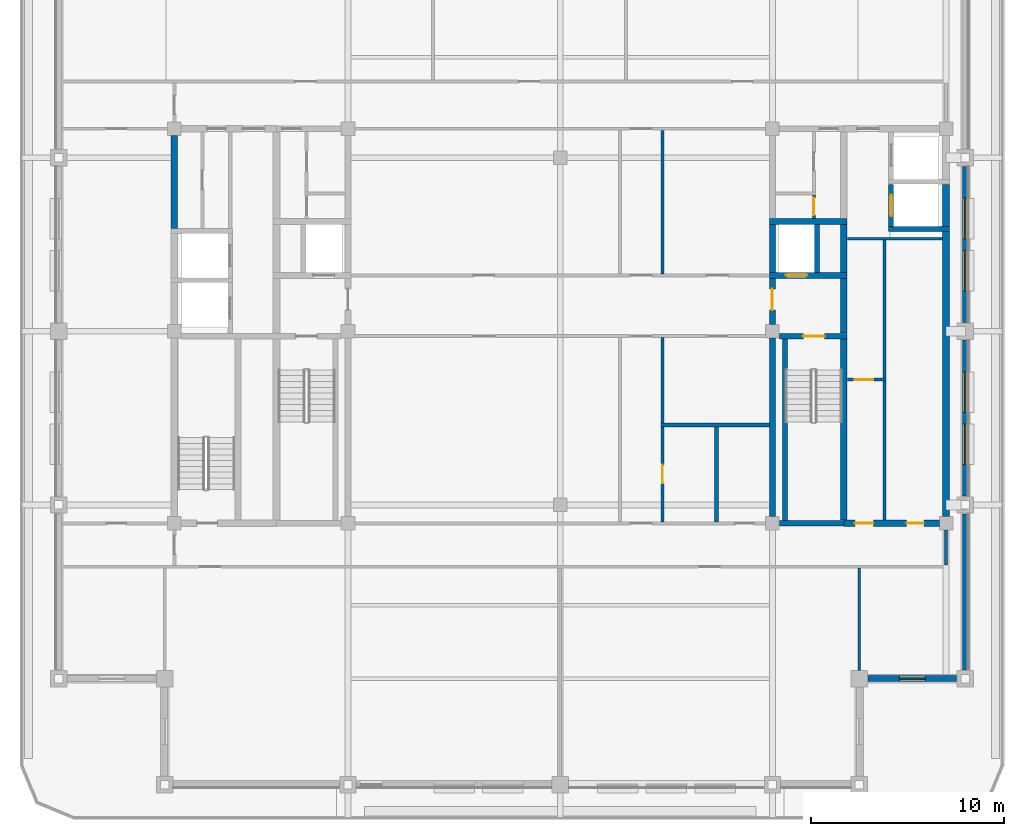
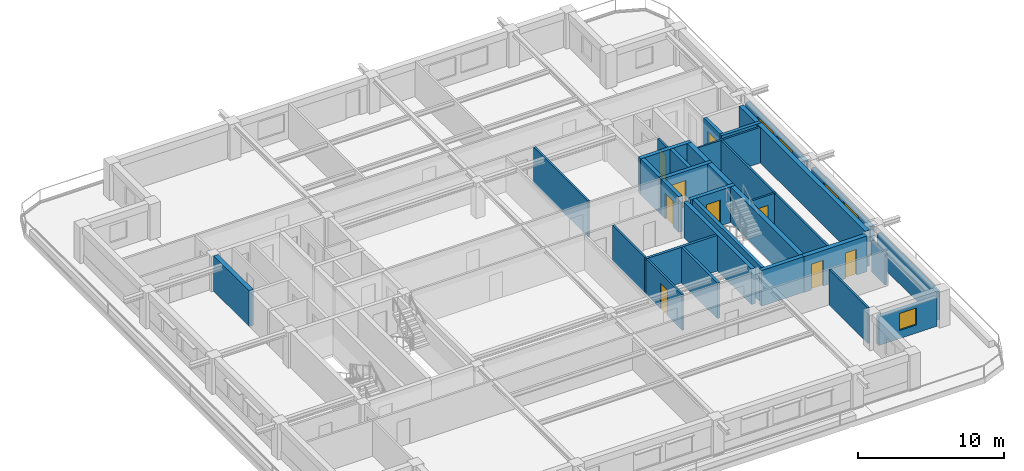
# One storey, part 4 of 11: 34 walls, 9 doors, 5 windows, 14 openings.
"""IFC4 building model written with IfcOpenShell, lengths in metres."""

from ifc_helpers import new_model, si_unit, direction, frame, frame_2d, origin, place, context, subcontext, project, spatial, rectangle, extrude, material, layer, layer_set, type_object, element, fill, save


model = new_model("IFC4")

# Units and contexts
model_context = context("Model", 3, precision=1e-05, world=origin(), true_north=direction((0.0, 1.0)))
body_context = subcontext(model_context, "Body", "Model", "MODEL_VIEW")
ifc_project = project(units=[si_unit("LENGTHUNIT", "METRE"), si_unit("AREAUNIT", "SQUARE_METRE"), si_unit("VOLUMEUNIT", "CUBIC_METRE"), si_unit("PLANEANGLEUNIT", "RADIAN"), si_unit("MASSUNIT", "GRAM", prefix="KILO")], contexts=[model_context])

# Site, building, storey
site_placement = place(None, origin())
site = spatial("IfcSite", under=ifc_project, at=site_placement, CompositionType="ELEMENT")
building_placement = place(site_placement, origin())
building = spatial("IfcBuilding", under=site, at=building_placement, Name="Zulmaris Gate Convention Tower", CompositionType="ELEMENT")
storey_placement = place(building_placement, frame((0.0, 0.0, 260.889892578125)))
storey = spatial("IfcBuildingStorey", under=building, at=storey_placement, Name="L69", CompositionType="ELEMENT", Elevation=260.889892578125)

# Walls
ifc_material_1 = material(Name="Concrete C50/60", Category="concrete")
ifc_layer_1 = layer(ifc_material_1, 0.25, Name="Concrete C50/60")
ifc_layer_set_1 = layer_set([ifc_layer_1], Name="Concrete C50/60")
wall_type_1 = type_object("IfcWallType", Name="CORE-250", PredefinedType="SOLIDWALL", material=ifc_layer_set_1)
wall_1_placement = place(storey_placement, frame((17.02490234375, 5.300048828125, 0.0), z_axis=(0.0, 0.0, 1.0), x_axis=(1.0, 0.0, 0.0)))
element("IfcWall", 1, at=wall_1_placement, inside=storey, type_object=wall_type_1, Name="WL-L69-011", PredefinedType="SOLIDWALL", context=body_context, shape_type="SweptSolid", body=[
    extrude(rectangle(XDim=3.150146484375, YDim=0.25, at=frame_2d((1.5751953125, 0.0))), origin(), (0.0, 0.0, 1.0), 2.97998046875),
])
wall_2_placement = place(storey_placement, frame((11.64990234375, -9.798095703125, 0.0), z_axis=(0.0, 0.0, 1.0), x_axis=(0.0, 1.0, 0.0)))
element("IfcWall", 2, at=wall_2_placement, inside=storey, type_object=wall_type_1, Name="WL-L69-053", PredefinedType="SOLIDWALL", context=body_context, shape_type="SweptSolid", body=[
    extrude(rectangle(XDim=9.39599609375, YDim=0.25, at=frame_2d((4.697998046875, 0.0))), origin(), (0.0, 0.0, 1.0), 2.97998046875),
])
wall_3_placement = place(storey_placement, frame((13.300048828125, 3.052001953125, 0.0), z_axis=(0.0, 0.0, 1.0), x_axis=(0.0, 1.0, 0.0)))
element("IfcWall", 3, at=wall_3_placement, inside=storey, type_object=wall_type_1, Name="WL-L69-054", PredefinedType="SOLIDWALL", context=body_context, shape_type="SweptSolid", body=[
    extrude(rectangle(XDim=2.49609375, YDim=0.25, at=frame_2d((1.248046875, 0.0))), origin(), (0.0, 0.0, 1.0), 2.97998046875),
])

# Wall, opening, door
wall_4_placement = place(storey_placement, frame((17.14990234375, 5.427001953125, 0.0), z_axis=(0.0, 0.0, 1.0), x_axis=(0.0, 1.0, 0.0)))
wall_4 = element("IfcWall", 4, at=wall_4_placement, inside=storey, type_object=wall_type_1, Name="WL-L69-059", PredefinedType="SOLIDWALL", context=body_context, shape_type="SweptSolid", body=[
    extrude(rectangle(XDim=2.196044921875, YDim=0.25, at=frame_2d((1.09814453125, 0.0))), origin(), (0.0, 0.0, 1.0), 2.97998046875),
])
opening_1_placement = place(wall_4_placement, frame((0.548095703125, 0.0, 0.0)))
opening_1 = element("IfcOpeningElement", 5, at=opening_1_placement, cuts=wall_4, Name="Opening D-06", PredefinedType="OPENING", context=body_context, shape_type="SweptSolid", body=[
    extrude(rectangle(XDim=1.10009765625, YDim=2.199951171875, at=frame_2d((0.550048828125, 1.10009765625))), frame((0.0, 0.135009765625, 0.0), z_axis=(0.0, -1.0, 0.0), x_axis=(1.0, 0.0, 0.0)), (0.0, 0.0, 1.0), 0.27001953125),
])
ifc_material_2 = material(Name="Brushed Stainless Steel", Category="steel")
door_type_1 = type_object("IfcDoorType", Name="LD-1100", OperationType="NOTDEFINED", PredefinedType="DOOR", material=ifc_material_2)
door_1_placement = place(opening_1_placement, origin())
door_1 = element("IfcDoor", 6, at=door_1_placement, inside=storey, type_object=door_type_1, Name="L69 Lift Landing Door HP-01 19", OperationType="SLIDING_TO_RIGHT", OverallHeight=2.199951171875, OverallWidth=1.10009765625, PredefinedType="DOOR", context=body_context, shape_type="SweptSolid", body=[
    extrude(rectangle(XDim=1.10009765625, YDim=2.199951171875, at=frame_2d((0.550048828125, 1.10009765625))), frame((0.0, 0.02490234375, 0.0), z_axis=(0.0, -1.0, 0.0), x_axis=(1.0, 0.0, 0.0)), (0.0, 0.0, 1.0), 0.050048828125),
])
fill(opening_1, door_1)

# Wall
ifc_layer_2 = layer(ifc_material_1, 0.300048828125, Name="Concrete C50/60")
ifc_layer_set_2 = layer_set([ifc_layer_2], Name="Concrete C50/60")
wall_type_2 = type_object("IfcWallType", Name="CORE-300", PredefinedType="SHEAR", material=ifc_layer_set_2)
wall_5_placement = place(storey_placement, frame((11.35400390625, -9.949951171875, 0.0), z_axis=(0.0, 0.0, 1.0), x_axis=(1.0, 0.0, 0.0)))
element("IfcWall", 7, at=wall_5_placement, inside=storey, type_object=wall_type_2, Name="WL-L69-003", PredefinedType="SHEAR", context=body_context, shape_type="SweptSolid", body=[
    extrude(rectangle(XDim=3.345947265625, YDim=0.300048828125, at=frame_2d((1.6728515625, 0.0))), origin(), (0.0, 0.0, 1.0), 2.97998046875),
])

# Wall, opening, door
wall_6_placement = place(storey_placement, frame((11.35400390625, -0.25, 0.0), z_axis=(0.0, 0.0, 1.0), x_axis=(1.0, 0.0, 0.0)))
wall_6 = element("IfcWall", 8, at=wall_6_placement, inside=storey, type_object=wall_type_2, Name="WL-L69-006", PredefinedType="SHEAR", context=body_context, shape_type="SweptSolid", body=[
    extrude(rectangle(XDim=3.52099609375, YDim=0.300048828125, at=frame_2d((1.760498046875, 0.0))), origin(), (0.0, 0.0, 1.0), 2.97998046875),
])
opening_2_placement = place(wall_6_placement, frame((1.24609375, 0.0, 0.0)))
opening_2 = element("IfcOpeningElement", 9, at=opening_2_placement, cuts=wall_6, Name="Opening D-08", PredefinedType="OPENING", context=body_context, shape_type="SweptSolid", body=[
    extrude(rectangle(XDim=1.10009765625, YDim=2.14990234375, at=frame_2d((0.550048828125, 1.074951171875))), frame((0.0, 0.16015625, 0.0), z_axis=(0.0, -1.0, 0.0), x_axis=(1.0, 0.0, 0.0)), (0.0, 0.0, 1.0), 0.320068359375),
])
ifc_material_3 = material(Name="Fire-Rated Steel", Category="steel")
door_type_2 = type_object("IfcDoorType", Name="DR-1100-FD", OperationType="NOTDEFINED", PredefinedType="DOOR", material=ifc_material_3)
door_2_placement = place(opening_2_placement, origin())
door_2 = element("IfcDoor", 10, at=door_2_placement, inside=storey, type_object=door_type_2, Name="L69 Exit Stair ST-2 Door 04", OperationType="SINGLE_SWING_RIGHT", OverallHeight=2.14990234375, OverallWidth=1.10009765625, PredefinedType="DOOR", context=body_context, shape_type="SweptSolid", body=[
    extrude(rectangle(XDim=1.10009765625, YDim=2.14990234375, at=frame_2d((0.550048828125, 1.074951171875))), frame((0.0, 0.02490234375, 0.0), z_axis=(0.0, -1.0, 0.0), x_axis=(1.0, 0.0, 0.0)), (0.0, 0.0, 1.0), 0.050048828125),
])
fill(opening_2, door_2)

wall_7_placement = place(storey_placement, frame((10.85009765625, 2.89990234375, 0.0), z_axis=(0.0, 0.0, 1.0), x_axis=(1.0, 0.0, 0.0)))
wall_7 = element("IfcWall", 11, at=wall_7_placement, inside=storey, type_object=wall_type_2, Name="WL-L69-009", PredefinedType="SHEAR", context=body_context, shape_type="SweptSolid", body=[
    extrude(rectangle(XDim=4.02490234375, YDim=0.300048828125, at=frame_2d((2.012451171875, 0.0))), origin(), (0.0, 0.0, 1.0), 2.97998046875),
])
opening_3_placement = place(wall_7_placement, frame((0.85009765625, 0.0, 0.0)))
opening_3 = element("IfcOpeningElement", 12, at=opening_3_placement, cuts=wall_7, Name="Opening D-06", PredefinedType="OPENING", context=body_context, shape_type="SweptSolid", body=[
    extrude(rectangle(XDim=1.10009765625, YDim=2.199951171875, at=frame_2d((0.550048828125, 1.10009765625))), frame((0.0, 0.16015625, 0.0), z_axis=(0.0, -1.0, 0.0), x_axis=(1.0, 0.0, 0.0)), (0.0, 0.0, 1.0), 0.320068359375),
])
door_3_placement = place(opening_3_placement, origin())
door_3 = element("IfcDoor", 13, at=door_3_placement, inside=storey, type_object=door_type_1, Name="L69 Lift Landing Door LF-02 06", OperationType="SLIDING_TO_RIGHT", OverallHeight=2.199951171875, OverallWidth=1.10009765625, PredefinedType="DOOR", context=body_context, shape_type="SweptSolid", body=[
    extrude(rectangle(XDim=1.10009765625, YDim=2.199951171875, at=frame_2d((0.550048828125, 1.10009765625))), frame((0.0, 0.02490234375, 0.0), z_axis=(0.0, -1.0, 0.0), x_axis=(1.0, 0.0, 0.0)), (0.0, 0.0, 1.0), 0.050048828125),
])
fill(opening_3, door_3)

# Walls
wall_8_placement = place(storey_placement, frame((10.85009765625, 5.699951171875, 0.0), z_axis=(0.0, 0.0, 1.0), x_axis=(1.0, 0.0, 0.0)))
element("IfcWall", 14, at=wall_8_placement, inside=storey, type_object=wall_type_2, Name="WL-L69-013", PredefinedType="SHEAR", context=body_context, shape_type="SweptSolid", body=[
    extrude(rectangle(XDim=4.02490234375, YDim=0.300048828125, at=frame_2d((2.012451171875, 0.0))), origin(), (0.0, 0.0, 1.0), 2.97998046875),
])
wall_9_placement = place(storey_placement, frame((11.0, -9.595947265625, 0.0), z_axis=(0.0, 0.0, 1.0), x_axis=(0.0, 1.0, 0.0)))
element("IfcWall", 15, at=wall_9_placement, inside=storey, type_object=wall_type_2, Name="WL-L69-049", PredefinedType="SHEAR", context=body_context, shape_type="SweptSolid", body=[
    extrude(rectangle(XDim=9.241943359375, YDim=0.300048828125, at=frame_2d((4.62109375, 0.0))), origin(), (0.0, 0.0, 1.0), 2.97998046875),
])

# Wall, opening, door
wall_10_placement = place(storey_placement, frame((11.0, 0.35400390625, 0.0), z_axis=(0.0, 0.0, 1.0), x_axis=(0.0, 1.0, 0.0)))
wall_10 = element("IfcWall", 16, at=wall_10_placement, inside=storey, type_object=wall_type_2, Name="WL-L69-050", PredefinedType="SHEAR", context=body_context, shape_type="SweptSolid", body=[
    extrude(rectangle(XDim=2.39404296875, YDim=0.300048828125, at=frame_2d((1.197021484375, 0.0))), origin(), (0.0, 0.0, 1.0), 2.97998046875),
])
opening_4_placement = place(wall_10_placement, frame((0.74609375, 0.0, 0.0)))
opening_4 = element("IfcOpeningElement", 17, at=opening_4_placement, cuts=wall_10, Name="Opening D-08", PredefinedType="OPENING", context=body_context, shape_type="SweptSolid", body=[
    extrude(rectangle(XDim=1.10009765625, YDim=2.14990234375, at=frame_2d((0.550048828125, 1.074951171875))), frame((0.0, 0.16015625, 0.0), z_axis=(0.0, -1.0, 0.0), x_axis=(1.0, 0.0, 0.0)), (0.0, 0.0, 1.0), 0.320068359375),
])
door_4_placement = place(opening_4_placement, origin())
door_4 = element("IfcDoor", 18, at=door_4_placement, inside=storey, type_object=door_type_2, Name="L69 East Firefighting Lobby Door 05", OperationType="SINGLE_SWING_LEFT", OverallHeight=2.14990234375, OverallWidth=1.10009765625, PredefinedType="DOOR", context=body_context, shape_type="SweptSolid", body=[
    extrude(rectangle(XDim=1.10009765625, YDim=2.14990234375, at=frame_2d((0.550048828125, 1.074951171875))), frame((0.0, 0.02490234375, 0.0), z_axis=(0.0, -1.0, 0.0), x_axis=(1.0, 0.0, 0.0)), (0.0, 0.0, 1.0), 0.050048828125),
])
fill(opening_4, door_4)

# Wall
wall_11_placement = place(storey_placement, frame((11.0, 3.052001953125, 0.0), z_axis=(0.0, 0.0, 1.0), x_axis=(0.0, 1.0, 0.0)))
element("IfcWall", 19, at=wall_11_placement, inside=storey, type_object=wall_type_2, Name="WL-L69-051", PredefinedType="SHEAR", context=body_context, shape_type="SweptSolid", body=[
    extrude(rectangle(XDim=2.49609375, YDim=0.300048828125, at=frame_2d((1.248046875, 0.0))), origin(), (0.0, 0.0, 1.0), 2.97998046875),
])

# Wall, openings, doors
ifc_material_4 = material(Name="Concrete C55/67", Category="concrete")
ifc_layer_3 = layer(ifc_material_4, 0.35009765625, Name="Concrete C55/67")
ifc_layer_set_3 = layer_set([ifc_layer_3], Name="Concrete C55/67")
wall_type_3 = type_object("IfcWallType", Name="CORE-350", PredefinedType="SHEAR", material=ifc_layer_set_3)
wall_12_placement = place(storey_placement, frame((14.699951171875, -9.949951171875, 0.0), z_axis=(0.0, 0.0, 1.0), x_axis=(1.0, 0.0, 0.0)))
wall_12 = element("IfcWall", 20, at=wall_12_placement, inside=storey, type_object=wall_type_3, Name="WL-L69-004", PredefinedType="SHEAR", context=body_context, shape_type="SweptSolid", body=[
    extrude(rectangle(XDim=4.946044921875, YDim=0.35009765625, at=frame_2d((2.47314453125, 0.0))), origin(), (0.0, 0.0, 1.0), 2.97998046875),
])
opening_5_placement = place(wall_12_placement, frame((3.25, 0.0, 0.0)))
opening_5 = element("IfcOpeningElement", 21, at=opening_5_placement, cuts=wall_12, Name="Opening D-12", PredefinedType="OPENING", context=body_context, shape_type="SweptSolid", body=[
    extrude(rectangle(XDim=0.89990234375, YDim=2.14990234375, at=frame_2d((0.449951171875, 1.074951171875))), frame((0.0, 0.18505859375, 0.0), z_axis=(0.0, -1.0, 0.0), x_axis=(1.0, 0.0, 0.0)), (0.0, 0.0, 1.0), 0.3701171875),
])
opening_6_placement = place(wall_12_placement, frame((0.574951171875, 0.0, 0.0)))
opening_6 = element("IfcOpeningElement", 22, at=opening_6_placement, cuts=wall_12, Name="Opening D-11", PredefinedType="OPENING", context=body_context, shape_type="SweptSolid", body=[
    extrude(rectangle(XDim=0.949951171875, YDim=2.14990234375, at=frame_2d((0.47509765625, 1.074951171875))), frame((0.0, 0.18505859375, 0.0), z_axis=(0.0, -1.0, 0.0), x_axis=(1.0, 0.0, 0.0)), (0.0, 0.0, 1.0), 0.3701171875),
])
ifc_material_5 = material(Name="Fire-Rated Timber", Category="wood")
door_type_3 = type_object("IfcDoorType", Name="DR-900-FD", OperationType="NOTDEFINED", PredefinedType="DOOR", material=ifc_material_5)
door_5_placement = place(opening_5_placement, origin())
door_5 = element("IfcDoor", 23, at=door_5_placement, inside=storey, type_object=door_type_3, Name="L69 Core IT Room Door 22", OperationType="SINGLE_SWING_LEFT", OverallHeight=2.14990234375, OverallWidth=0.89990234375, PredefinedType="DOOR", context=body_context, shape_type="SweptSolid", body=[
    extrude(rectangle(XDim=0.89990234375, YDim=2.14990234375, at=frame_2d((0.449951171875, 1.074951171875))), frame((0.0, 0.02490234375, 0.0), z_axis=(0.0, -1.0, 0.0), x_axis=(1.0, 0.0, 0.0)), (0.0, 0.0, 1.0), 0.050048828125),
])
fill(opening_5, door_5)
door_type_4 = type_object("IfcDoorType", Name="DR-950-FD", OperationType="NOTDEFINED", PredefinedType="DOOR", material=ifc_material_5)
door_6_placement = place(opening_6_placement, origin())
door_6 = element("IfcDoor", 24, at=door_6_placement, inside=storey, type_object=door_type_4, Name="L69 Guest Pantry Door 23", OperationType="SINGLE_SWING_RIGHT", OverallHeight=2.14990234375, OverallWidth=0.949951171875, PredefinedType="DOOR", context=body_context, shape_type="SweptSolid", body=[
    extrude(rectangle(XDim=0.949951171875, YDim=2.14990234375, at=frame_2d((0.47509765625, 1.074951171875))), frame((0.0, 0.02490234375, 0.0), z_axis=(0.0, -1.0, 0.0), x_axis=(1.0, 0.0, 0.0)), (0.0, 0.0, 1.0), 0.050048828125),
])
fill(opening_6, door_6)

# Walls
wall_13_placement = place(storey_placement, frame((-20.0, 5.326904296875, 0.0), z_axis=(0.0, 0.0, 1.0), x_axis=(0.0, 1.0, 0.0)))
element("IfcWall", 25, at=wall_13_placement, inside=storey, type_object=wall_type_3, Name="WL-L69-035", PredefinedType="SHEAR", context=body_context, shape_type="SweptSolid", body=[
    extrude(rectangle(XDim=4.819091796875, YDim=0.35009765625, at=frame_2d((2.40966796875, 0.0))), origin(), (0.0, 0.0, 1.0), 2.97998046875),
])
wall_14_placement = place(storey_placement, frame((14.699951171875, -9.77294921875, 0.0), z_axis=(0.0, 0.0, 1.0), x_axis=(0.0, 1.0, 0.0)))
element("IfcWall", 26, at=wall_14_placement, inside=storey, type_object=wall_type_3, Name="WL-L69-055", PredefinedType="SHEAR", context=body_context, shape_type="SweptSolid", body=[
    extrude(rectangle(XDim=9.370849609375, YDim=0.35009765625, at=frame_2d((4.685546875, 0.0))), origin(), (0.0, 0.0, 1.0), 2.97998046875),
])
wall_15_placement = place(storey_placement, frame((14.699951171875, -0.097900390625, 0.0), z_axis=(0.0, 0.0, 1.0), x_axis=(0.0, 1.0, 0.0)))
element("IfcWall", 27, at=wall_15_placement, inside=storey, type_object=wall_type_3, Name="WL-L69-056", PredefinedType="SHEAR", context=body_context, shape_type="SweptSolid", body=[
    extrude(rectangle(XDim=2.845947265625, YDim=0.35009765625, at=frame_2d((1.4228515625, 0.0))), origin(), (0.0, 0.0, 1.0), 2.97998046875),
])
wall_16_placement = place(storey_placement, frame((14.699951171875, 3.052001953125, 0.0), z_axis=(0.0, 0.0, 1.0), x_axis=(0.0, 1.0, 0.0)))
element("IfcWall", 28, at=wall_16_placement, inside=storey, type_object=wall_type_3, Name="WL-L69-057", PredefinedType="SHEAR", context=body_context, shape_type="SweptSolid", body=[
    extrude(rectangle(XDim=2.49609375, YDim=0.35009765625, at=frame_2d((1.248046875, 0.0))), origin(), (0.0, 0.0, 1.0), 2.97998046875),
])
wall_17_placement = place(storey_placement, frame((20.0, -9.595947265625, 0.0), z_axis=(0.0, 0.0, 1.0), x_axis=(0.0, 1.0, 0.0)))
element("IfcWall", 29, at=wall_17_placement, inside=storey, type_object=wall_type_3, Name="WL-L69-061", PredefinedType="SHEAR", context=body_context, shape_type="SweptSolid", body=[
    extrude(rectangle(XDim=14.76904296875, YDim=0.35009765625, at=frame_2d((7.384521484375, 0.0))), origin(), (0.0, 0.0, 1.0), 2.97998046875),
])
wall_18_placement = place(storey_placement, frame((20.0, 5.427001953125, 0.0), z_axis=(0.0, 0.0, 1.0), x_axis=(0.0, 1.0, 0.0)))
element("IfcWall", 30, at=wall_18_placement, inside=storey, type_object=wall_type_3, Name="WL-L69-062", PredefinedType="SHEAR", context=body_context, shape_type="SweptSolid", body=[
    extrude(rectangle(XDim=2.196044921875, YDim=0.35009765625, at=frame_2d((1.09814453125, 0.0))), origin(), (0.0, 0.0, 1.0), 2.97998046875),
])

# Wall, opening, door
ifc_material_6 = material(Name="Gypsum Metal Stud Partition")
ifc_layer_4 = layer(ifc_material_6, 0.14990234375, Name="Gypsum Metal Stud Partition")
ifc_layer_set_4 = layer_set([ifc_layer_4], Name="Gypsum Metal Stud Partition")
wall_type_4 = type_object("IfcWallType", Name="PART-150", PredefinedType="PARTITIONING", material=ifc_layer_set_4)
wall_19_placement = place(storey_placement, frame((14.8779296875, -2.5, 0.0), z_axis=(0.0, 0.0, 1.0), x_axis=(1.0, 0.0, 0.0)))
wall_19 = element("IfcWall", 31, at=wall_19_placement, inside=storey, type_object=wall_type_4, Name="WL-L69-023", PredefinedType="PARTITIONING", context=body_context, shape_type="SweptSolid", body=[
    extrude(rectangle(XDim=1.9970703125, YDim=0.14990234375, at=frame_2d((0.99853515625, 0.0))), origin(), (0.0, 0.0, 1.0), 2.97998046875),
])
opening_7_placement = place(wall_19_placement, frame((0.39697265625, 0.0, 0.0)))
opening_7 = element("IfcOpeningElement", 32, at=opening_7_placement, cuts=wall_19, Name="Opening D-11", PredefinedType="OPENING", context=body_context, shape_type="SweptSolid", body=[
    extrude(rectangle(XDim=0.949951171875, YDim=2.14990234375, at=frame_2d((0.47509765625, 1.074951171875))), frame((0.0, 0.0849609375, 0.0), z_axis=(0.0, -1.0, 0.0), x_axis=(1.0, 0.0, 0.0)), (0.0, 0.0, 1.0), 0.169921875),
])
door_7_placement = place(opening_7_placement, origin())
door_7 = element("IfcDoor", 33, at=door_7_placement, inside=storey, type_object=door_type_4, Name="L69 Supply Closet Door 24", OperationType="SINGLE_SWING_LEFT", OverallHeight=2.14990234375, OverallWidth=0.949951171875, PredefinedType="DOOR", context=body_context, shape_type="SweptSolid", body=[
    extrude(rectangle(XDim=0.949951171875, YDim=2.14990234375, at=frame_2d((0.47509765625, 1.074951171875))), frame((0.0, 0.02490234375, 0.0), z_axis=(0.0, -1.0, 0.0), x_axis=(1.0, 0.0, 0.0)), (0.0, 0.0, 1.0), 0.050048828125),
])
fill(opening_7, door_7)

# Wall
wall_20_placement = place(storey_placement, frame((14.8779296875, 4.800048828125, 0.0), z_axis=(0.0, 0.0, 1.0), x_axis=(1.0, 0.0, 0.0)))
element("IfcWall", 34, at=wall_20_placement, inside=storey, type_object=wall_type_4, Name="WL-L69-026", PredefinedType="PARTITIONING", context=body_context, shape_type="SweptSolid", body=[
    extrude(rectangle(XDim=4.944091796875, YDim=0.14990234375, at=frame_2d((2.47216796875, 0.0))), origin(), (0.0, 0.0, 1.0), 2.97998046875),
])

# Wall, opening, door
wall_21_placement = place(storey_placement, frame((5.300048828125, -9.8720703125, 0.0), z_axis=(0.0, 0.0, 1.0), x_axis=(0.0, 1.0, 0.0)))
wall_21 = element("IfcWall", 35, at=wall_21_placement, inside=storey, type_object=wall_type_4, Name="WL-L69-076", PredefinedType="PARTITIONING", context=body_context, shape_type="SweptSolid", body=[
    extrude(rectangle(XDim=4.919189453125, YDim=0.14990234375, at=frame_2d((2.45947265625, 0.0))), origin(), (0.0, 0.0, 1.0), 2.97998046875),
])
opening_8_placement = place(wall_21_placement, frame((1.9970703125, 0.0, 0.0)))
opening_8 = element("IfcOpeningElement", 36, at=opening_8_placement, cuts=wall_21, Name="Opening D-11", PredefinedType="OPENING", context=body_context, shape_type="SweptSolid", body=[
    extrude(rectangle(XDim=0.949951171875, YDim=2.14990234375, at=frame_2d((0.47509765625, 1.074951171875))), frame((0.0, 0.0849609375, 0.0), z_axis=(0.0, -1.0, 0.0), x_axis=(1.0, 0.0, 0.0)), (0.0, 0.0, 1.0), 0.169921875),
])
door_8_placement = place(opening_8_placement, origin())
door_8 = element("IfcDoor", 37, at=door_8_placement, inside=storey, type_object=door_type_4, Name="L69 Accessible WC Door 38", OperationType="SINGLE_SWING_LEFT", OverallHeight=2.14990234375, OverallWidth=0.949951171875, PredefinedType="DOOR", context=body_context, shape_type="SweptSolid", body=[
    extrude(rectangle(XDim=0.949951171875, YDim=2.14990234375, at=frame_2d((0.47509765625, 1.074951171875))), frame((0.0, 0.02490234375, 0.0), z_axis=(0.0, -1.0, 0.0), x_axis=(1.0, 0.0, 0.0)), (0.0, 0.0, 1.0), 0.050048828125),
])
fill(opening_8, door_8)

# Walls
wall_22_placement = place(storey_placement, frame((5.300048828125, -4.7470703125, 0.0), z_axis=(0.0, 0.0, 1.0), x_axis=(0.0, 1.0, 0.0)))
element("IfcWall", 38, at=wall_22_placement, inside=storey, type_object=wall_type_4, Name="WL-L69-077", PredefinedType="PARTITIONING", context=body_context, shape_type="SweptSolid", body=[
    extrude(rectangle(XDim=4.419189453125, YDim=0.14990234375, at=frame_2d((2.20947265625, 0.0))), origin(), (0.0, 0.0, 1.0), 2.97998046875),
])
wall_23_placement = place(storey_placement, frame((5.300048828125, 2.97802734375, 0.0), z_axis=(0.0, 0.0, 1.0), x_axis=(0.0, 1.0, 0.0)))
element("IfcWall", 39, at=wall_23_placement, inside=storey, type_object=wall_type_4, Name="WL-L69-078", PredefinedType="PARTITIONING", context=body_context, shape_type="SweptSolid", body=[
    extrude(rectangle(XDim=7.444091796875, YDim=0.14990234375, at=frame_2d((3.72216796875, 0.0))), origin(), (0.0, 0.0, 1.0), 2.97998046875),
])

# Wall, opening, door
wall_24_placement = place(storey_placement, frame((13.14990234375, 5.85302734375, 0.0), z_axis=(0.0, 0.0, 1.0), x_axis=(0.0, 1.0, 0.0)))
wall_24 = element("IfcWall", 40, at=wall_24_placement, inside=storey, type_object=wall_type_4, Name="WL-L69-080", PredefinedType="PARTITIONING", context=body_context, shape_type="SweptSolid", body=[
    extrude(rectangle(XDim=1.218994140625, YDim=0.14990234375, at=frame_2d((0.609375, 0.0))), origin(), (0.0, 0.0, 1.0), 2.97998046875),
])
opening_9_placement = place(wall_24_placement, frame((0.1689453125, 0.0, 0.0)))
opening_9 = element("IfcOpeningElement", 41, at=opening_9_placement, cuts=wall_24, Name="Opening D-12", PredefinedType="OPENING", context=body_context, shape_type="SweptSolid", body=[
    extrude(rectangle(XDim=0.89990234375, YDim=2.14990234375, at=frame_2d((0.449951171875, 1.074951171875))), frame((0.0, 0.0849609375, 0.0), z_axis=(0.0, -1.0, 0.0), x_axis=(1.0, 0.0, 0.0)), (0.0, 0.0, 1.0), 0.169921875),
])
door_9_placement = place(opening_9_placement, origin())
door_9 = element("IfcDoor", 42, at=door_9_placement, inside=storey, type_object=door_type_3, Name="L69 Core Staff WC Door 11", OperationType="SINGLE_SWING_RIGHT", OverallHeight=2.14990234375, OverallWidth=0.89990234375, PredefinedType="DOOR", context=body_context, shape_type="SweptSolid", body=[
    extrude(rectangle(XDim=0.89990234375, YDim=2.14990234375, at=frame_2d((0.449951171875, 1.074951171875))), frame((0.0, 0.02490234375, 0.0), z_axis=(0.0, -1.0, 0.0), x_axis=(1.0, 0.0, 0.0)), (0.0, 0.0, 1.0), 0.050048828125),
])
fill(opening_9, door_9)

# Walls
wall_25_placement = place(storey_placement, frame((15.5, -17.569091796875, 0.0), z_axis=(0.0, 0.0, 1.0), x_axis=(0.0, 1.0, 0.0)))
element("IfcWall", 43, at=wall_25_placement, inside=storey, type_object=wall_type_4, Name="WL-L69-082", PredefinedType="PARTITIONING", context=body_context, shape_type="SweptSolid", body=[
    extrude(rectangle(XDim=5.291015625, YDim=0.14990234375, at=frame_2d((2.6455078125, 0.0))), origin(), (0.0, 0.0, 1.0), 2.97998046875),
])
wall_26_placement = place(storey_placement, frame((16.800048828125, -9.77197265625, 0.0), z_axis=(0.0, 0.0, 1.0), x_axis=(0.0, 1.0, 0.0)))
element("IfcWall", 44, at=wall_26_placement, inside=storey, type_object=wall_type_4, Name="WL-L69-083", PredefinedType="PARTITIONING", context=body_context, shape_type="SweptSolid", body=[
    extrude(rectangle(XDim=7.194091796875, YDim=0.14990234375, at=frame_2d((3.59716796875, 0.0))), origin(), (0.0, 0.0, 1.0), 2.97998046875),
])
wall_27_placement = place(storey_placement, frame((16.800048828125, -2.422119140625, 0.0), z_axis=(0.0, 0.0, 1.0), x_axis=(0.0, 1.0, 0.0)))
element("IfcWall", 45, at=wall_27_placement, inside=storey, type_object=wall_type_4, Name="WL-L69-084", PredefinedType="PARTITIONING", context=body_context, shape_type="SweptSolid", body=[
    extrude(rectangle(XDim=7.14404296875, YDim=0.14990234375, at=frame_2d((3.572021484375, 0.0))), origin(), (0.0, 0.0, 1.0), 2.97998046875),
])
wall_28_placement = place(storey_placement, frame((20.0, -12.1220703125, 0.0), z_axis=(0.0, 0.0, 1.0), x_axis=(0.0, 1.0, 0.0)))
element("IfcWall", 46, at=wall_28_placement, inside=storey, type_object=wall_type_4, Name="WL-L69-085", PredefinedType="PARTITIONING", context=body_context, shape_type="SweptSolid", body=[
    extrude(rectangle(XDim=1.816162109375, YDim=0.14990234375, at=frame_2d((0.908203125, 0.0))), origin(), (0.0, 0.0, 1.0), 2.570068359375),
])
ifc_material_7 = material(Name="Autoclaved Aerated Concrete Block and Plasterboard", Category="concrete")
ifc_layer_5 = layer(ifc_material_7, 0.199951171875, Name="Autoclaved Aerated Concrete Block and Plasterboard")
ifc_layer_set_5 = layer_set([ifc_layer_5], Name="Autoclaved Aerated Concrete Block and Plasterboard")
wall_type_5 = type_object("IfcWallType", Name="PART-200", PredefinedType="PARTITIONING", material=ifc_layer_set_5)
wall_29_placement = place(storey_placement, frame((5.22509765625, -4.85009765625, 0.0), z_axis=(0.0, 0.0, 1.0), x_axis=(1.0, 0.0, 0.0)))
element("IfcWall", 47, at=wall_29_placement, inside=storey, type_object=wall_type_5, Name="WL-L69-022", PredefinedType="PARTITIONING", context=body_context, shape_type="SweptSolid", body=[
    extrude(rectangle(XDim=5.621826171875, YDim=0.199951171875, at=frame_2d((2.81103515625, 0.0))), origin(), (0.0, 0.0, 1.0), 2.97998046875),
])
wall_30_placement = place(storey_placement, frame((8.10009765625, -9.8720703125, 0.0), z_axis=(0.0, 0.0, 1.0), x_axis=(0.0, 1.0, 0.0)))
element("IfcWall", 48, at=wall_30_placement, inside=storey, type_object=wall_type_5, Name="WL-L69-079", PredefinedType="PARTITIONING", context=body_context, shape_type="SweptSolid", body=[
    extrude(rectangle(XDim=4.919189453125, YDim=0.199951171875, at=frame_2d((2.45947265625, 0.0))), origin(), (0.0, 0.0, 1.0), 2.97998046875),
])

# Wall, opening, window
ifc_material_8 = material(Name="Precast concrete C40/50", Category="concrete")
ifc_layer_6 = layer(ifc_material_8, 0.300048828125, Name="Precast concrete C40/50")
ifc_layer_set_6 = layer_set([ifc_layer_6], Name="Precast concrete C40/50")
wall_type_6 = type_object("IfcWallType", Name="PRECAST-PIER-300", PredefinedType="STANDARD", material=ifc_layer_set_6)
wall_31_placement = place(storey_placement, frame((15.955078125, -18.0, 0.0), z_axis=(0.0, 0.0, 1.0), x_axis=(1.0, 0.0, 0.0)))
wall_31 = element("IfcWall", 49, at=wall_31_placement, inside=storey, type_object=wall_type_6, Name="EW-L69-NOTCH-SE2_0", PredefinedType="STANDARD", context=body_context, shape_type="SweptSolid", body=[
    extrude(rectangle(XDim=4.58984375, YDim=0.300048828125, at=frame_2d((2.294921875, 0.0))), origin(), (0.0, 0.0, 1.0), 2.3720703125),
])
opening_10_placement = place(wall_31_placement, frame((1.6201171875, 0.0, 0.679931640625)))
opening_10 = element("IfcOpeningElement", 50, at=opening_10_placement, cuts=wall_31, Name="Opening W-10", PredefinedType="OPENING", context=body_context, shape_type="SweptSolid", body=[
    extrude(rectangle(XDim=1.35009765625, YDim=1.419921875, at=frame_2d((0.675048828125, 0.7099609375))), frame((0.0, 0.16015625, 0.0), z_axis=(0.0, -1.0, 0.0), x_axis=(1.0, 0.0, 0.0)), (0.0, 0.0, 1.0), 0.320068359375),
])
ifc_material_9 = material(Name="Low-E Laminated Double Glazing in Aluminium Frame", Category="aluminium")
window_type_1 = type_object("IfcWindowType", Name="WIN-1350x2000", PartitioningType="SINGLE_PANEL", PredefinedType="WINDOW", material=ifc_material_9)
window_1_placement = place(opening_10_placement, origin())
window_1 = element("IfcWindow", 51, at=window_1_placement, inside=storey, type_object=window_type_1, Name="WN-EW-L69-NOTCH-SE2_0", OverallHeight=1.419921875, OverallWidth=1.35009765625, PartitioningType="SINGLE_PANEL", PredefinedType="WINDOW", context=body_context, shape_type="SweptSolid", body=[
    extrude(rectangle(XDim=1.35009765625, YDim=1.419921875, at=frame_2d((0.675048828125, 0.7099609375))), frame((0.0, 0.030029296875, 0.0), z_axis=(0.0, -1.0, 0.0), x_axis=(1.0, 0.0, 0.0)), (0.0, 0.0, 1.0), 0.06005859375),
])
fill(opening_10, window_1)

# Wall
wall_32_placement = place(storey_placement, frame((21.0, -17.544921875, 0.0), z_axis=(0.0, 0.0, 1.0), x_axis=(0.0, 1.0, 0.0)))
element("IfcWall", 52, at=wall_32_placement, inside=storey, type_object=wall_type_6, Name="EW-L69-E-0_0", PredefinedType="STANDARD", context=body_context, shape_type="SweptSolid", body=[
    extrude(rectangle(XDim=8.08984375, YDim=0.300048828125, at=frame_2d((4.044921875, 0.0))), origin(), (0.0, 0.0, 1.0), 2.3720703125),
])

# Wall, openings, windows
wall_33_placement = place(storey_placement, frame((21.0, -8.544921875, 0.0), z_axis=(0.0, 0.0, 1.0), x_axis=(0.0, 1.0, 0.0)))
wall_33 = element("IfcWall", 53, at=wall_33_placement, inside=storey, type_object=wall_type_6, Name="EW-L69-E-1_0", PredefinedType="STANDARD", context=body_context, shape_type="SweptSolid", body=[
    extrude(rectangle(XDim=8.08984375, YDim=0.300048828125, at=frame_2d((4.044921875, 0.0))), origin(), (0.0, 0.0, 1.0), 2.3720703125),
])
opening_11_placement = place(wall_33_placement, frame((1.64697265625, 0.0, 0.699951171875)))
opening_11 = element("IfcOpeningElement", 54, at=opening_11_placement, cuts=wall_33, Name="Opening W-05", PredefinedType="OPENING", context=body_context, shape_type="SweptSolid", body=[
    extrude(rectangle(XDim=2.10009765625, YDim=1.5, at=frame_2d((1.050048828125, 0.75))), frame((0.0, 0.16015625, 0.0), z_axis=(0.0, -1.0, 0.0), x_axis=(1.0, 0.0, 0.0)), (0.0, 0.0, 1.0), 0.320068359375),
])
opening_12_placement = place(wall_33_placement, frame((4.343017578125, 0.0, 0.699951171875)))
opening_12 = element("IfcOpeningElement", 55, at=opening_12_placement, cuts=wall_33, Name="Opening W-05", PredefinedType="OPENING", context=body_context, shape_type="SweptSolid", body=[
    extrude(rectangle(XDim=2.10009765625, YDim=1.5, at=frame_2d((1.050048828125, 0.75))), frame((0.0, 0.16015625, 0.0), z_axis=(0.0, -1.0, 0.0), x_axis=(1.0, 0.0, 0.0)), (0.0, 0.0, 1.0), 0.320068359375),
])
window_type_2 = type_object("IfcWindowType", Name="WIN-2100x2400", PartitioningType="SINGLE_PANEL", PredefinedType="WINDOW", material=ifc_material_9)
window_2_placement = place(opening_11_placement, origin())
window_2 = element("IfcWindow", 56, at=window_2_placement, inside=storey, type_object=window_type_2, Name="WN-EW-L69-E-1_0-1", OverallHeight=1.5, OverallWidth=2.10009765625, PartitioningType="SINGLE_PANEL", PredefinedType="WINDOW", context=body_context, shape_type="SweptSolid", body=[
    extrude(rectangle(XDim=2.10009765625, YDim=1.5, at=frame_2d((1.050048828125, 0.75))), frame((0.0, 0.030029296875, 0.0), z_axis=(0.0, -1.0, 0.0), x_axis=(1.0, 0.0, 0.0)), (0.0, 0.0, 1.0), 0.06005859375),
])
fill(opening_11, window_2)
window_3_placement = place(opening_12_placement, origin())
window_3 = element("IfcWindow", 57, at=window_3_placement, inside=storey, type_object=window_type_2, Name="WN-EW-L69-E-1_0-2", OverallHeight=1.5, OverallWidth=2.10009765625, PartitioningType="SINGLE_PANEL", PredefinedType="WINDOW", context=body_context, shape_type="SweptSolid", body=[
    extrude(rectangle(XDim=2.10009765625, YDim=1.5, at=frame_2d((1.050048828125, 0.75))), frame((0.0, 0.030029296875, 0.0), z_axis=(0.0, -1.0, 0.0), x_axis=(1.0, 0.0, 0.0)), (0.0, 0.0, 1.0), 0.06005859375),
])
fill(opening_12, window_3)

wall_34_placement = place(storey_placement, frame((21.0, 0.455078125, 0.0), z_axis=(0.0, 0.0, 1.0), x_axis=(0.0, 1.0, 0.0)))
wall_34 = element("IfcWall", 58, at=wall_34_placement, inside=storey, type_object=wall_type_6, Name="EW-L69-E-2_0", PredefinedType="STANDARD", context=body_context, shape_type="SweptSolid", body=[
    extrude(rectangle(XDim=8.08984375, YDim=0.300048828125, at=frame_2d((4.044921875, 0.0))), origin(), (0.0, 0.0, 1.0), 2.3720703125),
])
opening_13_placement = place(wall_34_placement, frame((1.64697265625, 0.0, 0.699951171875)))
opening_13 = element("IfcOpeningElement", 59, at=opening_13_placement, cuts=wall_34, Name="Opening W-05", PredefinedType="OPENING", context=body_context, shape_type="SweptSolid", body=[
    extrude(rectangle(XDim=2.10009765625, YDim=1.5, at=frame_2d((1.050048828125, 0.75))), frame((0.0, 0.16015625, 0.0), z_axis=(0.0, -1.0, 0.0), x_axis=(1.0, 0.0, 0.0)), (0.0, 0.0, 1.0), 0.320068359375),
])
opening_14_placement = place(wall_34_placement, frame((4.343017578125, 0.0, 0.699951171875)))
opening_14 = element("IfcOpeningElement", 60, at=opening_14_placement, cuts=wall_34, Name="Opening W-05", PredefinedType="OPENING", context=body_context, shape_type="SweptSolid", body=[
    extrude(rectangle(XDim=2.10009765625, YDim=1.5, at=frame_2d((1.050048828125, 0.75))), frame((0.0, 0.16015625, 0.0), z_axis=(0.0, -1.0, 0.0), x_axis=(1.0, 0.0, 0.0)), (0.0, 0.0, 1.0), 0.320068359375),
])
window_4_placement = place(opening_13_placement, origin())
window_4 = element("IfcWindow", 61, at=window_4_placement, inside=storey, type_object=window_type_2, Name="WN-EW-L69-E-2_0-1", OverallHeight=1.5, OverallWidth=2.10009765625, PartitioningType="SINGLE_PANEL", PredefinedType="WINDOW", context=body_context, shape_type="SweptSolid", body=[
    extrude(rectangle(XDim=2.10009765625, YDim=1.5, at=frame_2d((1.050048828125, 0.75))), frame((0.0, 0.030029296875, 0.0), z_axis=(0.0, -1.0, 0.0), x_axis=(1.0, 0.0, 0.0)), (0.0, 0.0, 1.0), 0.06005859375),
])
fill(opening_13, window_4)
window_5_placement = place(opening_14_placement, origin())
window_5 = element("IfcWindow", 62, at=window_5_placement, inside=storey, type_object=window_type_2, Name="WN-EW-L69-E-2_0-2", OverallHeight=1.5, OverallWidth=2.10009765625, PartitioningType="SINGLE_PANEL", PredefinedType="WINDOW", context=body_context, shape_type="SweptSolid", body=[
    extrude(rectangle(XDim=2.10009765625, YDim=1.5, at=frame_2d((1.050048828125, 0.75))), frame((0.0, 0.030029296875, 0.0), z_axis=(0.0, -1.0, 0.0), x_axis=(1.0, 0.0, 0.0)), (0.0, 0.0, 1.0), 0.06005859375),
])
fill(opening_14, window_5)

save(model, "model.ifc")
